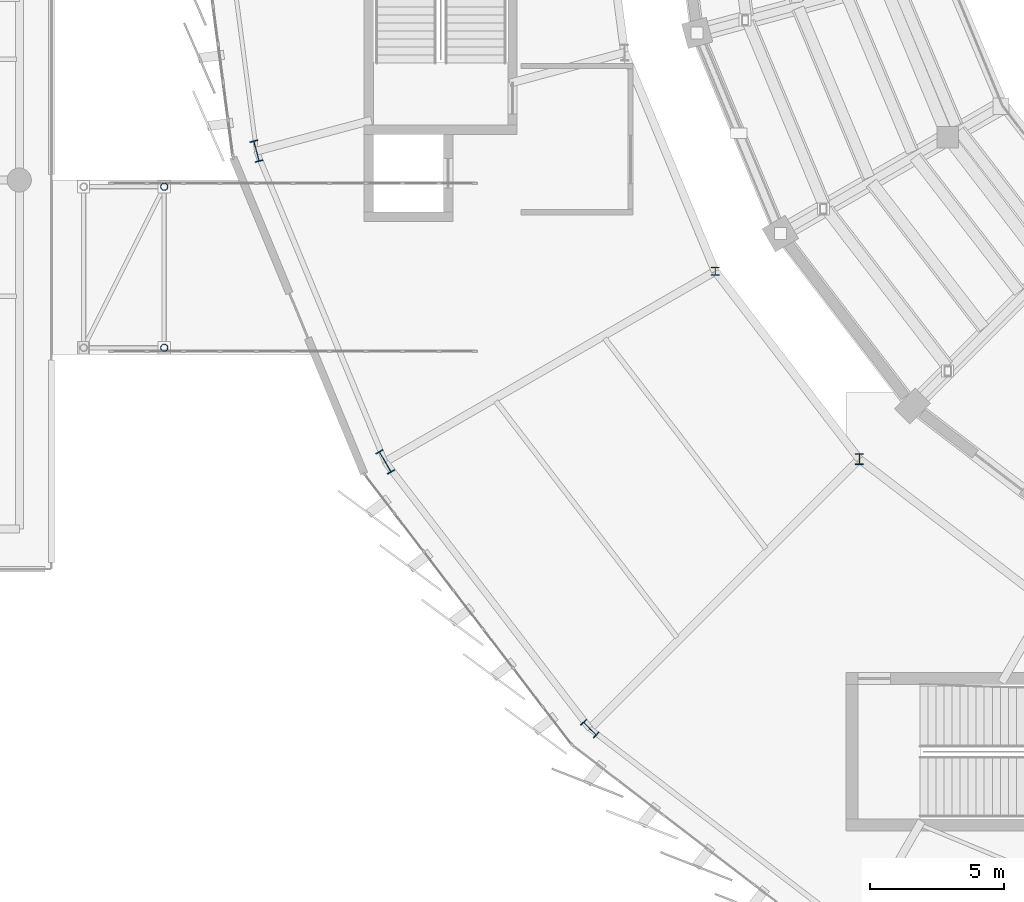
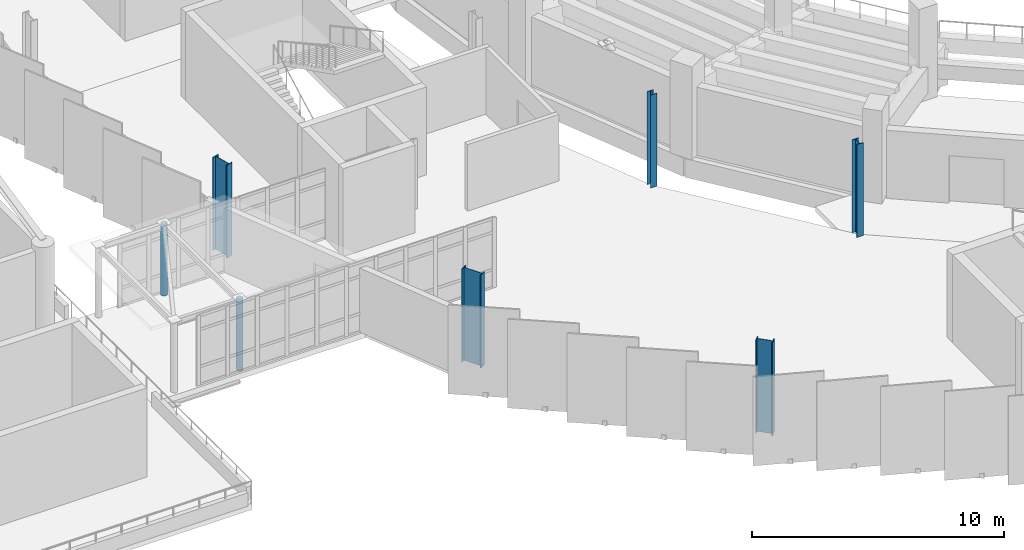
# One storey, part 3 of 120: 7 columns.
"""IFC4 building model written with IfcOpenShell, lengths in metres."""

from ifc_helpers import new_model, si_unit, direction, frame, origin, origin_2d, place, context, subcontext, project, spatial, hollow_circle, i_section, extrude, material, material_profile, profile_set, type_object, element, save


model = new_model("IFC4")

# Units and contexts
model_context = context("Model", 3, precision=1e-05, world=origin(), true_north=direction((0.0, 1.0)))
body_context = subcontext(model_context, "Body", "Model", "MODEL_VIEW")
ifc_project = project(units=[si_unit("LENGTHUNIT", "METRE"), si_unit("AREAUNIT", "SQUARE_METRE"), si_unit("VOLUMEUNIT", "CUBIC_METRE"), si_unit("PLANEANGLEUNIT", "RADIAN"), si_unit("MASSUNIT", "GRAM", prefix="KILO")], contexts=[model_context])

# Site, building, storey
site_placement = place(None, origin())
site = spatial("IfcSite", under=ifc_project, at=site_placement, CompositionType="ELEMENT")
building_placement = place(site_placement, origin())
building = spatial("IfcBuilding", under=site, at=building_placement, Name="Sohan Crest Arena", CompositionType="ELEMENT")
storey_placement = place(building_placement, frame((0.0, 0.0, 13.5)))
storey = spatial("IfcBuildingStorey", under=building, at=storey_placement, Name="L03", CompositionType="ELEMENT", Elevation=13.5)

# Columns
ifc_material = material(Name="Steel S355", Category="steel")
ifc_material_profile_1 = material_profile(ifc_material, i_section(OverallWidth=0.300048828125, OverallDepth=0.300048828125, WebThickness=0.010986328125, FlangeThickness=0.01904296875, at=origin_2d()), Name="HEB 300")
ifc_profile_set_1 = profile_set([ifc_material_profile_1], Name="Steel S355")
column_type_1 = type_object("IfcColumnType", Name="STR-COL-C17", PredefinedType="COLUMN", material=ifc_profile_set_1)
column_1_placement = place(storey_placement, frame((68.72802734375, 61.10009765625, 0.0), z_axis=(0.0, 0.0, 1.0), x_axis=(1.0, 0.0, 0.0)))
element("IfcColumn", 1, at=column_1_placement, inside=storey, type_object=column_type_1, Name="Structural column COL-V2I-09-L03", PredefinedType="COLUMN", context=body_context, shape_type="SweptSolid", body=[
    extrude(i_section(OverallWidth=0.300048828125, OverallDepth=0.300048828125, WebThickness=0.010986328125, FlangeThickness=0.01904296875, at=origin_2d()), origin(), (0.0, 0.0, 1.0), 4.5),
])
ifc_material_profile_2 = material_profile(ifc_material, i_section(OverallWidth=0.300048828125, OverallDepth=0.39990234375, WebThickness=0.013427734375, FlangeThickness=0.02392578125, at=origin_2d()), Name="HEB 400")
ifc_profile_set_2 = profile_set([ifc_material_profile_2], Name="Steel S355")
column_type_2 = type_object("IfcColumnType", Name="STR-COL-C18", PredefinedType="COLUMN", material=ifc_profile_set_2)
column_2_placement = place(storey_placement, frame((74.10009765625, 54.10009765625, 0.0), z_axis=(0.0, 0.0, 1.0), x_axis=(1.0, 0.0, 0.0)))
element("IfcColumn", 2, at=column_2_placement, inside=storey, type_object=column_type_2, Name="Structural column COL-V2I-10-L03", PredefinedType="COLUMN", context=body_context, shape_type="SweptSolid", body=[
    extrude(i_section(OverallWidth=0.300048828125, OverallDepth=0.39990234375, WebThickness=0.013427734375, FlangeThickness=0.02392578125, at=origin_2d()), origin(), (0.0, 0.0, 1.0), 4.5),
])
ifc_material_profile_3 = material_profile(ifc_material, i_section(OverallWidth=0.300048828125, OverallDepth=0.699951171875, WebThickness=0.01708984375, FlangeThickness=0.031982421875, at=origin_2d()), Name="HEB 700")
ifc_profile_set_3 = profile_set([ifc_material_profile_3], Name="Steel S355")
column_type_3 = type_object("IfcColumnType", Name="STR-COL-C21", PredefinedType="COLUMN", material=ifc_profile_set_3)
column_3_placement = place(storey_placement, frame((64.05908203125, 44.05908203125, 0.0), z_axis=(0.0, 0.0, 1.0), x_axis=(0.707106781187, 0.707106781187, 0.0)))
element("IfcColumn", 3, at=column_3_placement, inside=storey, type_object=column_type_3, Name="Structural column COL-V2O-10-L03", PredefinedType="COLUMN", context=body_context, shape_type="SweptSolid", body=[
    extrude(i_section(OverallWidth=0.300048828125, OverallDepth=0.699951171875, WebThickness=0.01708984375, FlangeThickness=0.031982421875, at=origin_2d()), origin(), (0.0, 0.0, 1.0), 4.5),
])
ifc_material_profile_4 = material_profile(ifc_material, i_section(OverallWidth=0.300048828125, OverallDepth=0.800048828125, WebThickness=0.017578125, FlangeThickness=0.032958984375, at=origin_2d()), Name="HEB 800")
ifc_profile_set_4 = profile_set([ifc_material_profile_4], Name="Steel S355")
column_type_4 = type_object("IfcColumnType", Name="STR-COL-C22", PredefinedType="COLUMN", material=ifc_profile_set_4)
column_4_placement = place(storey_placement, frame((51.635986328125, 65.576904296875, 0.0), z_axis=(0.0, 0.0, 1.0), x_axis=(0.965925826289, 0.258819045103, 0.0)))
element("IfcColumn", 4, at=column_4_placement, inside=storey, type_object=column_type_4, Name="Structural column COL-V2O-08-L03", PredefinedType="COLUMN", context=body_context, shape_type="SweptSolid", body=[
    extrude(i_section(OverallWidth=0.300048828125, OverallDepth=0.800048828125, WebThickness=0.017578125, FlangeThickness=0.032958984375, at=origin_2d()), origin(), (0.0, 0.0, 1.0), 4.5),
])
ifc_material_profile_5 = material_profile(ifc_material, i_section(OverallWidth=0.300048828125, OverallDepth=0.89990234375, WebThickness=0.0185546875, FlangeThickness=0.034912109375, at=origin_2d()), Name="HEB 900")
ifc_profile_set_5 = profile_set([ifc_material_profile_5], Name="Steel S355")
column_type_5 = type_object("IfcColumnType", Name="STR-COL-C23", PredefinedType="COLUMN", material=ifc_profile_set_5)
column_5_placement = place(storey_placement, frame((56.430908203125, 54.0, 0.0), z_axis=(0.0, 0.0, 1.0), x_axis=(0.866025403784, 0.5, 0.0)))
element("IfcColumn", 5, at=column_5_placement, inside=storey, type_object=column_type_5, Name="Structural column COL-V2O-09-L03", PredefinedType="COLUMN", context=body_context, shape_type="SweptSolid", body=[
    extrude(i_section(OverallWidth=0.300048828125, OverallDepth=0.89990234375, WebThickness=0.0185546875, FlangeThickness=0.034912109375, at=origin_2d()), origin(), (0.0, 0.0, 1.0), 4.5),
])
ifc_material_profile_6 = material_profile(ifc_material, hollow_circle(Radius=0.136474609375, WallThickness=0.012451171875, at=origin_2d()), Name="CHS 273x12.5")
ifc_profile_set_6 = profile_set([ifc_material_profile_6], Name="Steel S355")
column_type_6 = type_object("IfcColumnType", Name="STR-COL-C25", PredefinedType="COLUMN", material=ifc_profile_set_6)
for number, where, z_axis, x_axis, name in (
    (6, (48.199951171875, 58.25, 0.0), (0.0, 0.0, 1.0), (1.0, 0.0, 0.0), "Structural column COL-BC-BR-W1-2-L03"),
    (7, (48.199951171875, 64.25, 0.0), (0.0, 0.0, 1.0), (1.0, 0.0, 0.0), "Structural column COL-BC-BR-W1-4-L03"),
):
    element("IfcColumn", number, at=place(storey_placement, frame(where, z_axis=z_axis, x_axis=x_axis)), inside=storey, type_object=column_type_6, Name=name, PredefinedType="COLUMN", context=body_context, shape_type="SweptSolid", body=[
        extrude(hollow_circle(Radius=0.136474609375, WallThickness=0.012451171875, at=origin_2d()), origin(), (0.0, 0.0, 1.0), 3.47509765625),
    ])

save(model, "model.ifc")
